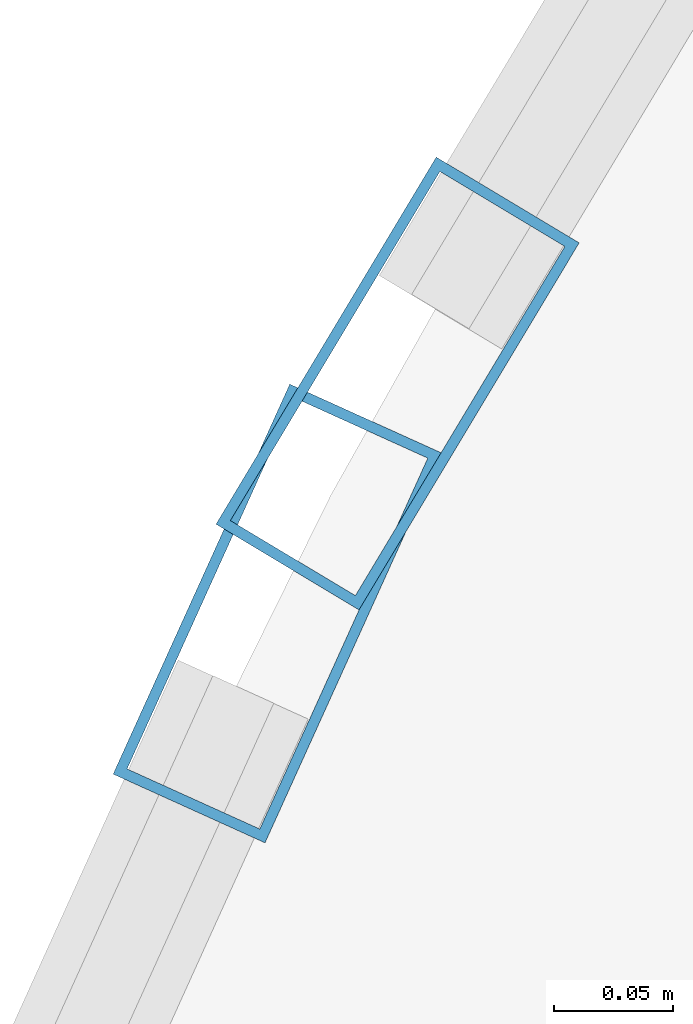
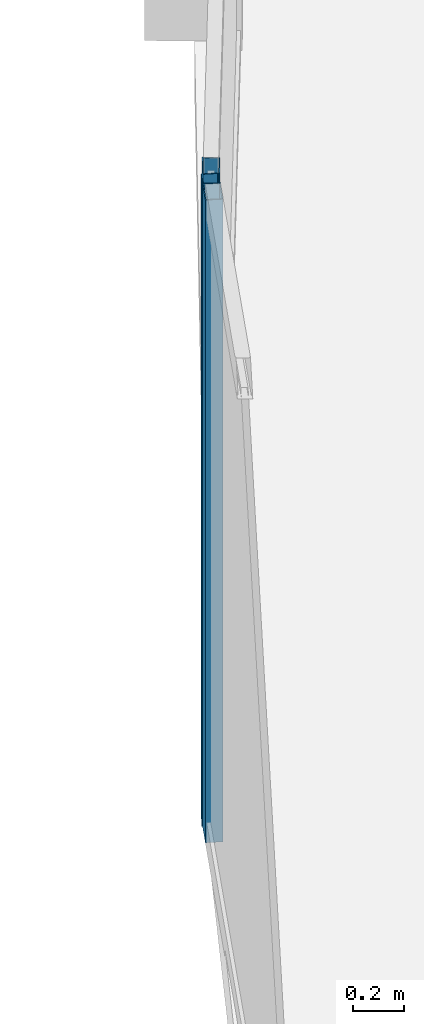
# One storey, part 10 of 30: 2 members, 2 elements without a shape of their own.
"""IFC4 building model written with IfcOpenShell, lengths in metres."""

import ifcopenshell
import ifcopenshell.guid

model = None  # the IFC model being written
_history = None  # IfcOwnerHistory: only IFC2X3 demands one
_inside = {}  # id of a spatial element -> (the spatial element, [elements in it])
_under = {}  # id of a project, library or spatial element -> (it, [spatial elements below it])
_declared = {}  # id of a project -> (the project, [libraries it declares])
_typed = {}  # id of a type object -> (the type object, [elements of that type])
_made_of = {}  # id of a material, layer set ... -> (it, [elements and type objects made of it])


def new_model(schema):
    """Start an empty IFC model of exactly this schema.

    Asked for "IFC4X3", IfcOpenShell would pick the latest addendum, in which some entities
    have other attributes; the version numbers below select the first issue.
    IFC2X3 requires an IfcOwnerHistory on every rooted entity: one is made here for all.
    """
    global model, _history
    if schema == "IFC4X3":
        model = ifcopenshell.file(schema_version=(4, 3, 0, 0))
    else:
        model = ifcopenshell.file(schema=schema)
    _inside.clear()
    _under.clear()
    _declared.clear()
    _typed.clear()
    _made_of.clear()
    _history = None
    if model.schema == "IFC2X3":
        org = make("IfcOrganization", Name="unknown")
        user = make(
            "IfcPersonAndOrganization",
            ThePerson=make("IfcPerson", FamilyName="unknown"),
            TheOrganization=org,
        )
        app = make(
            "IfcApplication",
            ApplicationDeveloper=org,
            Version="unknown",
            ApplicationFullName="unknown",
            ApplicationIdentifier="unknown",
        )
        _history = make(
            "IfcOwnerHistory",
            OwningUser=user,
            OwningApplication=app,
            ChangeAction="ADDED",
            CreationDate=0,
        )
    return model


def make(cls, **values):
    """One entity of the class cls with the attributes given. An attribute that is None is left unset."""
    return model.create_entity(
        cls, **{name: value for name, value in values.items() if value is not None}
    )


def rooted(cls, **values):
    """An entity with a GlobalId (a new one), such as an element, a storey or a relation."""
    return make(cls, GlobalId=ifcopenshell.guid.new(), OwnerHistory=_history, **values)


def si_unit(unit_type, name, prefix=None):
    """IfcSIUnit, for example si_unit("LENGTHUNIT", "METRE", prefix="MILLI")."""
    return make("IfcSIUnit", UnitType=unit_type, Prefix=prefix, Name=name)


def assignment(units):
    """IfcUnitAssignment: the units of a project."""
    return None if units is None else make("IfcUnitAssignment", Units=units)


def point(xyz):
    """IfcCartesianPoint."""
    return None if xyz is None else make("IfcCartesianPoint", Coordinates=xyz)


def direction(xyz):
    """IfcDirection."""
    return None if xyz is None else make("IfcDirection", DirectionRatios=xyz)


def frame(location, z_axis=None, x_axis=None):
    """IfcAxis2Placement3D, a coordinate frame: its origin and axes. An axis left out is left unset."""
    return make(
        "IfcAxis2Placement3D",
        Location=point(location),
        Axis=direction(z_axis),
        RefDirection=direction(x_axis),
    )


def frame_2d(location, x_axis=None):
    """IfcAxis2Placement2D, a coordinate frame in the plane: its origin and x axis."""
    return make(
        "IfcAxis2Placement2D", Location=point(location), RefDirection=direction(x_axis)
    )


def origin():
    """The frame at (0, 0, 0) with its axes left unset."""
    return frame((0.0, 0.0, 0.0))


def origin_2d():
    """The frame at (0, 0) in the plane with its x axis left unset."""
    return frame_2d((0.0, 0.0))


def place(relative_to, where):
    """IfcLocalPlacement: puts the frame where relative to a parent placement (None: the world)."""
    return make(
        "IfcLocalPlacement", PlacementRelTo=relative_to, RelativePlacement=where
    )


def context(
    kind, dimensions, precision=None, world=None, true_north=None, identifier=None
):
    """IfcGeometricRepresentationContext, for example the 3D "Model" context."""
    return make(
        "IfcGeometricRepresentationContext",
        ContextIdentifier=identifier,
        ContextType=kind,
        CoordinateSpaceDimension=dimensions,
        Precision=precision,
        WorldCoordinateSystem=world,
        TrueNorth=true_north,
    )


def subcontext(parent, identifier, kind, view, scale=None):
    """IfcGeometricRepresentationSubContext, for example "Body" below "Model"."""
    return make(
        "IfcGeometricRepresentationSubContext",
        ContextIdentifier=identifier,
        ContextType=kind,
        ParentContext=parent,
        TargetScale=scale,
        TargetView=view,
    )


def project(units=None, contexts=None):
    """IfcProject with its units and contexts."""
    return rooted(
        "IfcProject",
        Name="project",
        RepresentationContexts=contexts,
        UnitsInContext=assignment(units),
    )


def spatial(cls, under=None, at=None, **own):
    """A site, building, storey or space (cls), placed at a placement, below another one or the project."""
    s = rooted(cls, ObjectPlacement=at, **own)
    if under is not None:
        _under.setdefault(under.id(), (under, []))[1].append(s)
    return s


def profile(cls, at=None, kind="AREA", **sizes):
    """A parametric profile (cls). Its sizes go by their IFC names, for example OverallWidth=200.0."""
    return make(cls, ProfileType=kind, Position=at, **sizes)


def hollow_rectangle(**sizes):
    """IfcRectangleHollowProfileDef."""
    return profile("IfcRectangleHollowProfileDef", **sizes)


def extrude(swept, where, along, depth):
    """IfcExtrudedAreaSolid: the profile swept, set in the frame where, extruded along a direction by depth."""
    return make(
        "IfcExtrudedAreaSolid",
        SweptArea=swept,
        Position=where,
        ExtrudedDirection=direction(along),
        Depth=depth,
    )


def shape(context_of_items, identifier, shape_type, items):
    """IfcShapeRepresentation: the items that make up one representation, for example the "Body"."""
    return make(
        "IfcShapeRepresentation",
        ContextOfItems=context_of_items,
        RepresentationIdentifier=identifier,
        RepresentationType=shape_type,
        Items=items,
    )


def material(Name=None, Category=None):
    """IfcMaterial."""
    return make("IfcMaterial", Name=Name, Category=Category)


def layer(
    of_material, thickness, ventilated=None, Name=None, Category=None, Priority=None
):
    """IfcMaterialLayer: one layer of a wall or slab, of a material (None: an air gap)."""
    return make(
        "IfcMaterialLayer",
        Material=of_material,
        LayerThickness=thickness,
        IsVentilated=ventilated,
        Name=Name,
        Category=Category,
        Priority=Priority,
    )


def layer_set(layers, Name=None):
    """IfcMaterialLayerSet."""
    return make("IfcMaterialLayerSet", MaterialLayers=layers, LayerSetName=Name)


def material_profile(
    of_material, cross_section, Name=None, Category=None, Priority=None
):
    """IfcMaterialProfile: a cross section and its material."""
    return make(
        "IfcMaterialProfile",
        Name=Name,
        Material=of_material,
        Profile=cross_section,
        Priority=Priority,
        Category=Category,
    )


def profile_set(profiles, Name=None, composite=None):
    """IfcMaterialProfileSet."""
    return make(
        "IfcMaterialProfileSet",
        Name=Name,
        MaterialProfiles=profiles,
        CompositeProfile=composite,
    )


def made_of(thing, what):
    """Note that an element or type object is made of a material, layer set ...; save() writes the relation."""
    if what is not None:
        _made_of.setdefault(what.id(), (what, []))[1].append(thing)
    return thing


def type_object(cls, material=None, **own):
    """A type object (cls), such as IfcWallType, which elements share."""
    return made_of(rooted(cls, **own), material)


def element(
    cls,
    number,
    at=None,
    inside=None,
    cuts=None,
    type_object=None,
    material=None,
    context=None,
    identifier="Body",
    shape_type=None,
    held_by="IfcProductDefinitionShape",
    body=None,
    shapes=None,
    **own,
):
    """One element of the class cls, such as IfcWall. Its Tag is "e" and its number.

    at: its placement. inside: the storey or other place that contains it. cuts: it is an
    opening in that element (IfcRelVoidsElement). A single representation is given by context,
    identifier, shape_type and body (its items); several are given by shapes. held_by: the class
    of the entity that holds the representations. save() writes the other relations.
    """
    e = rooted(cls, Tag="e%d" % number, ObjectPlacement=at, **own)
    if body is not None:
        shapes = [shape(context, identifier, shape_type, body)]
    if shapes is not None:
        e.Representation = make(held_by, Representations=shapes)
    if inside is not None:
        _inside.setdefault(inside.id(), (inside, []))[1].append(e)
    if cuts is not None:
        rooted(
            "IfcRelVoidsElement", RelatingBuildingElement=cuts, RelatedOpeningElement=e
        )
    if type_object is not None:
        _typed.setdefault(type_object.id(), (type_object, []))[1].append(e)
    return made_of(e, material)


def aggregate(whole, parts):
    """IfcRelAggregates: a whole, such as a stair, and the parts it consists of."""
    return rooted("IfcRelAggregates", RelatingObject=whole, RelatedObjects=parts)


def save(model, path):
    """Write the relations noted so far, then the file.

    IfcRelAggregates (storeys below a building ...), IfcRelContainedInSpatialStructure (elements
    in a storey), IfcRelDefinesByType, IfcRelAssociatesMaterial and IfcRelDeclares: one each for
    every whole, place, type object, material and project.
    """
    for whole, parts in _under.values():
        aggregate(whole, parts)
    for where, things in _inside.values():
        rooted(
            "IfcRelContainedInSpatialStructure",
            RelatedElements=things,
            RelatingStructure=where,
        )
    for kind, things in _typed.values():
        rooted("IfcRelDefinesByType", RelatedObjects=things, RelatingType=kind)
    for what, things in _made_of.values():
        rooted("IfcRelAssociatesMaterial", RelatedObjects=things, RelatingMaterial=what)
    for by, libraries in _declared.values():
        rooted("IfcRelDeclares", RelatingContext=by, RelatedDefinitions=libraries)
    model.write(path)


model = new_model("IFC4")

# Units and contexts
model_context = context("Model", 3, precision=1e-05, world=origin(), true_north=direction((0.0, 1.0)))
body_context = subcontext(model_context, "Body", "Model", "MODEL_VIEW")
ifc_project = project(units=[si_unit("LENGTHUNIT", "METRE"), si_unit("AREAUNIT", "SQUARE_METRE"), si_unit("VOLUMEUNIT", "CUBIC_METRE"), si_unit("PLANEANGLEUNIT", "RADIAN"), si_unit("MASSUNIT", "GRAM", prefix="KILO")], contexts=[model_context])

# Site, building, storey
site_placement = place(None, origin())
site = spatial("IfcSite", under=ifc_project, at=site_placement, CompositionType="ELEMENT")
building_placement = place(site_placement, origin())
building = spatial("IfcBuilding", under=site, at=building_placement, Name="Orvanel Arch Residences", CompositionType="ELEMENT")
storey_placement = place(building_placement, frame((0.0, 0.0, 180.35009765625)))
storey = spatial("IfcBuildingStorey", under=building, at=storey_placement, Name="L51", CompositionType="ELEMENT", Elevation=180.35009765625)

# Curtain wall, member
ifc_material = material(Name="Bronze-anodised aluminium AA6063-T6", Category="aluminium")
ifc_layer = layer(ifc_material, 0.179931640625)
ifc_layer_set = layer_set([ifc_layer], Name="Bronze-anodised aluminium AA6063-T6")
curtain_wall_type = type_object("IfcCurtainWallType", Name="CW3-MID-SYS", PredefinedType="NOTDEFINED", material=ifc_layer_set)
curtain_wall_1_placement = place(storey_placement, origin())
curtain_wall_1 = element("IfcCurtainWall", 1, at=curtain_wall_1_placement, inside=storey, type_object=curtain_wall_type, Name="L51 CW3-MID-SYS Unitised Curtain Wall", PredefinedType="NOTDEFINED")
ifc_material_profile = material_profile(ifc_material, hollow_rectangle(XDim=0.070068359375, YDim=0.179931640625, WallThickness=0.00439453125, at=origin_2d()), Name="ALU180x70x4.5")
ifc_profile_set = profile_set([ifc_material_profile], Name="Bronze-anodised aluminium AA6063-T6")
member_type = type_object("IfcMemberType", Name="MUL-180x70", PredefinedType="MULLION", material=ifc_profile_set)
member_1_placement = place(storey_placement, frame((15.426025390625, 24.50390625, 0.0), z_axis=(0.0, 0.0, 1.0), x_axis=(0.857567687153, -0.514371132502, 0.0)))
member_1 = element("IfcMember", 2, at=member_1_placement, type_object=member_type, Name="CW-S3 mullion 3", PredefinedType="MULLION", context=body_context, shape_type="SweptSolid", body=[
    extrude(hollow_rectangle(XDim=0.070068359375, YDim=0.179931640625, WallThickness=0.00439453125, at=origin_2d()), origin(), (0.0, 0.0, 1.0), 3.059814453125),
])
aggregate(curtain_wall_1, [member_1])

curtain_wall_2_placement = place(storey_placement, origin())
curtain_wall_2 = element("IfcCurtainWall", 3, at=curtain_wall_2_placement, inside=storey, type_object=curtain_wall_type, Name="L51 CW3-MID-SYS Unitised Curtain Wall", PredefinedType="NOTDEFINED")
member_2_placement = place(storey_placement, frame((15.37548828125, 24.4072265625, 0.0), z_axis=(0.0, 0.0, 1.0), x_axis=(0.910943582501, -0.412530955809, 0.0)))
member_2 = element("IfcMember", 4, at=member_2_placement, type_object=member_type, Name="CW-S3 mullion 1", PredefinedType="MULLION", context=body_context, shape_type="SweptSolid", body=[
    extrude(hollow_rectangle(XDim=0.070068359375, YDim=0.179931640625, WallThickness=0.00439453125, at=origin_2d()), origin(), (0.0, 0.0, 1.0), 3.059814453125),
])
aggregate(curtain_wall_2, [member_2])

save(model, "model.ifc")
